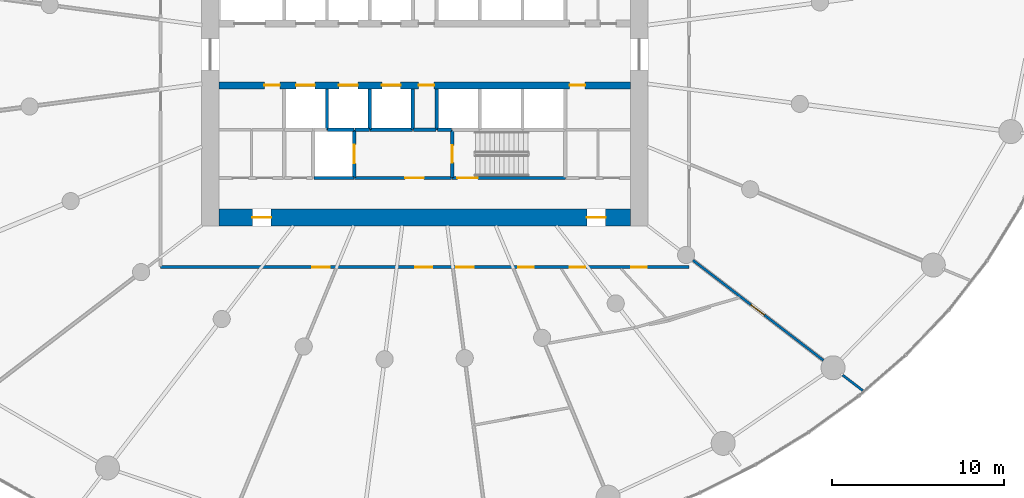
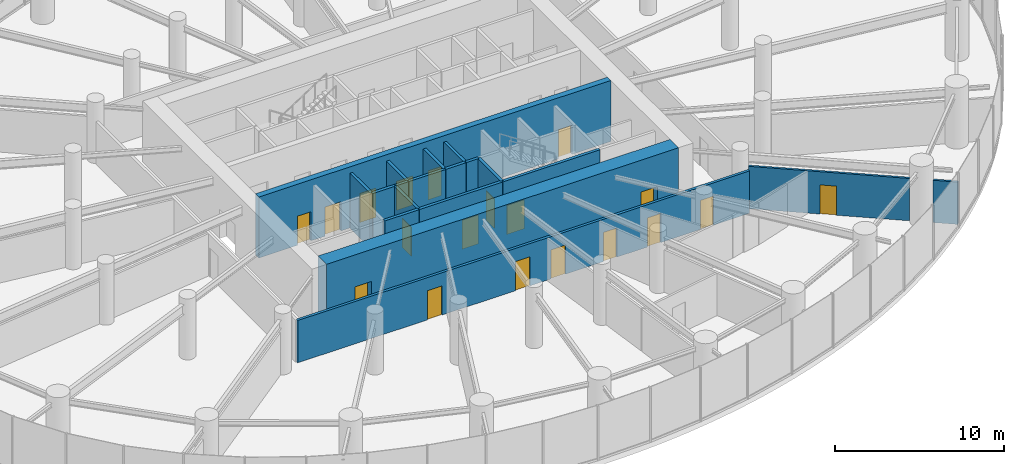
# One storey, part 12 of 18: 19 doors, 19 walls, 19 openings.
"""IFC4 building model written with IfcOpenShell, lengths in metres."""

from ifc_helpers import new_model, si_unit, direction, frame, frame_2d, origin, place, context, subcontext, project, spatial, rectangle, extrude, source, transform, mapped, material, layer, layer_set, type_object, element, fill, save


model = new_model("IFC4")

# Units and contexts
model_context = context("Model", 3, precision=1e-05, world=origin(), true_north=direction((0.0, 1.0)))
body_context = subcontext(model_context, "Body", "Model", "MODEL_VIEW")
ifc_project = project(units=[si_unit("LENGTHUNIT", "METRE"), si_unit("AREAUNIT", "SQUARE_METRE"), si_unit("VOLUMEUNIT", "CUBIC_METRE"), si_unit("PLANEANGLEUNIT", "RADIAN"), si_unit("MASSUNIT", "GRAM", prefix="KILO")], contexts=[model_context])

# Site, building, storey
site_placement = place(None, origin())
site = spatial("IfcSite", under=ifc_project, at=site_placement, CompositionType="ELEMENT")
building_placement = place(site_placement, origin())
building = spatial("IfcBuilding", under=site, at=building_placement, Name="Spindrift Exchange Tower", CompositionType="ELEMENT")
storey_placement = place(building_placement, frame((0.0, 0.0, 62.199951171875)))
storey = spatial("IfcBuildingStorey", under=building, at=storey_placement, Name="L14", CompositionType="ELEMENT", Elevation=62.199951171875)

# Wall, openings, doors
ifc_material_1 = material(Name="Concrete 80 MPa", Category="concrete")
ifc_layer_1 = layer(ifc_material_1, 1.0)
ifc_layer_set_1 = layer_set([ifc_layer_1], Name="RC Core Wall 1000 Concrete 80 MPa")
wall_type_1 = type_object("IfcWallType", Name="RC Core Wall 1000 Concrete 80 MPa", PredefinedType="SHEAR", material=ifc_layer_set_1)
wall_1_placement = place(storey_placement, frame((40.0, 38.5, 0.0), z_axis=(0.0, 0.0, 1.0), x_axis=(1.0, 0.0, 0.0)))
wall_1 = element("IfcWall", 1, at=wall_1_placement, inside=storey, type_object=wall_type_1, Name="Core wall S L14", PredefinedType="SHEAR", context=body_context, shape_type="SweptSolid", body=[
    extrude(rectangle(XDim=24.0, YDim=1.0, at=frame_2d((12.0, 0.0))), origin(), (0.0, 0.0, 1.0), 4.400146484375),
])
opening_1_placement = place(wall_1_placement, frame((21.449951171875, 0.0, 0.0)))
opening_1 = element("IfcOpeningElement", 2, at=opening_1_placement, cuts=wall_1, Name="Opening L14-D22", PredefinedType="OPENING", context=body_context, shape_type="SweptSolid", body=[
    extrude(rectangle(XDim=1.10009765625, YDim=2.10009765625, at=frame_2d((0.550048828125, 1.050048828125))), frame((0.0, 0.510009765625, 0.0), z_axis=(0.0, -1.0, 0.0), x_axis=(1.0, 0.0, 0.0)), (0.0, 0.0, 1.0), 1.02001953125),
])
opening_2_placement = place(wall_1_placement, frame((1.949951171875, 0.0, 0.0)))
opening_2 = element("IfcOpeningElement", 3, at=opening_2_placement, cuts=wall_1, Name="Opening L14-D23", PredefinedType="OPENING", context=body_context, shape_type="SweptSolid", body=[
    extrude(rectangle(XDim=1.10009765625, YDim=2.10009765625, at=frame_2d((0.550048828125, 1.050048828125))), frame((0.0, 0.510009765625, 0.0), z_axis=(0.0, -1.0, 0.0), x_axis=(1.0, 0.0, 0.0)), (0.0, 0.0, 1.0), 1.02001953125),
])
ifc_material_2 = material(Name="Steel fire door", Category="steel")
door_type_1 = type_object("IfcDoorType", Name="DR-STAIR-1100", OperationType="NOTDEFINED", PredefinedType="DOOR", material=ifc_material_2)
shared_shape_1 = source(origin(), body_context, "Body", "SweptSolid", [
    extrude(rectangle(XDim=1.10009765625, YDim=2.10009765625, at=frame_2d((0.550048828125, 1.050048828125))), frame((0.0, 0.02490234375, 0.0), z_axis=(0.0, -1.0, 0.0), x_axis=(1.0, 0.0, 0.0)), (0.0, 0.0, 1.0), 0.050048828125),
])
door_1_placement = place(opening_1_placement, origin())
door_1 = element("IfcDoor", 4, at=door_1_placement, inside=storey, type_object=door_type_1, Name="L14 Stair door 22", OperationType="SINGLE_SWING_LEFT", OverallHeight=2.10009765625, OverallWidth=1.10009765625, PredefinedType="DOOR", context=body_context, shape_type="MappedRepresentation", body=[
    mapped(shared_shape_1, transform((0.0, 0.0, 0.0), scale=1.0)),
])
fill(opening_1, door_1)
door_2_placement = place(opening_2_placement, origin())
door_2 = element("IfcDoor", 5, at=door_2_placement, inside=storey, type_object=door_type_1, Name="L14 Stair door 23", OperationType="SINGLE_SWING_RIGHT", OverallHeight=2.10009765625, OverallWidth=1.10009765625, PredefinedType="DOOR", context=body_context, shape_type="MappedRepresentation", body=[
    mapped(shared_shape_1, transform((0.0, 0.0, 0.0), scale=1.0)),
])
fill(opening_2, door_2)

ifc_layer_2 = layer(ifc_material_1, 0.39990234375)
ifc_layer_set_2 = layer_set([ifc_layer_2], Name="RC Spine Wall 400 Concrete 80 MPa")
wall_type_2 = type_object("IfcWallType", Name="RC Spine Wall 400 Concrete 80 MPa", PredefinedType="SHEAR", material=ifc_layer_set_2)
wall_2_placement = place(storey_placement, frame((40.0, 46.199951171875, 0.0), z_axis=(0.0, 0.0, 1.0), x_axis=(1.0, 0.0, 0.0)))
wall_2 = element("IfcWall", 6, at=wall_2_placement, inside=storey, type_object=wall_type_2, Name="Core spine wall S L14", PredefinedType="SHEAR", context=body_context, shape_type="SweptSolid", body=[
    extrude(rectangle(XDim=24.0, YDim=0.39990234375, at=frame_2d((12.0, 0.0))), origin(), (0.0, 0.0, 1.0), 4.400146484375),
])
opening_3_placement = place(wall_2_placement, frame((4.5, 0.0, 0.0)))
opening_3 = element("IfcOpeningElement", 7, at=opening_3_placement, cuts=wall_2, Name="Opening L14-D6", PredefinedType="OPENING", context=body_context, shape_type="SweptSolid", body=[
    extrude(rectangle(XDim=1.10009765625, YDim=2.10009765625, at=frame_2d((0.550048828125, 1.050048828125))), frame((0.0, 0.2099609375, 0.0), z_axis=(0.0, -1.0, 0.0), x_axis=(1.0, 0.0, 0.0)), (0.0, 0.0, 1.0), 0.419921875),
])
opening_4_placement = place(wall_2_placement, frame((7.0, 0.0, 0.0)))
opening_4 = element("IfcOpeningElement", 8, at=opening_4_placement, cuts=wall_2, Name="Opening L14-D7", PredefinedType="OPENING", context=body_context, shape_type="SweptSolid", body=[
    extrude(rectangle(XDim=1.10009765625, YDim=2.10009765625, at=frame_2d((0.550048828125, 1.050048828125))), frame((0.0, 0.2099609375, 0.0), z_axis=(0.0, -1.0, 0.0), x_axis=(1.0, 0.0, 0.0)), (0.0, 0.0, 1.0), 0.419921875),
])
opening_5_placement = place(wall_2_placement, frame((9.5, 0.0, 0.0)))
opening_5 = element("IfcOpeningElement", 9, at=opening_5_placement, cuts=wall_2, Name="Opening L14-D8", PredefinedType="OPENING", context=body_context, shape_type="SweptSolid", body=[
    extrude(rectangle(XDim=1.10009765625, YDim=2.10009765625, at=frame_2d((0.550048828125, 1.050048828125))), frame((0.0, 0.2099609375, 0.0), z_axis=(0.0, -1.0, 0.0), x_axis=(1.0, 0.0, 0.0)), (0.0, 0.0, 1.0), 0.419921875),
])
opening_6_placement = place(wall_2_placement, frame((20.449951171875, 0.0, 0.0)))
opening_6 = element("IfcOpeningElement", 10, at=opening_6_placement, cuts=wall_2, Name="Opening L14-D45", PredefinedType="OPENING", context=body_context, shape_type="SweptSolid", body=[
    extrude(rectangle(XDim=0.89990234375, YDim=2.10009765625, at=frame_2d((0.449951171875, 1.050048828125))), frame((0.0, 0.2099609375, 0.0), z_axis=(0.0, -1.0, 0.0), x_axis=(1.0, 0.0, 0.0)), (0.0, 0.0, 1.0), 0.419921875),
])
opening_7_placement = place(wall_2_placement, frame((2.64990234375, 0.0, 0.0)))
opening_7 = element("IfcOpeningElement", 11, at=opening_7_placement, cuts=wall_2, Name="Opening L14-D51", PredefinedType="OPENING", context=body_context, shape_type="SweptSolid", body=[
    extrude(rectangle(XDim=0.89990234375, YDim=2.10009765625, at=frame_2d((0.449951171875, 1.050048828125))), frame((0.0, 0.2099609375, 0.0), z_axis=(0.0, -1.0, 0.0), x_axis=(1.0, 0.0, 0.0)), (0.0, 0.0, 1.0), 0.419921875),
])
opening_8_placement = place(wall_2_placement, frame((11.64990234375, 0.0, 0.0)))
opening_8 = element("IfcOpeningElement", 12, at=opening_8_placement, cuts=wall_2, Name="Opening L14-D53", PredefinedType="OPENING", context=body_context, shape_type="SweptSolid", body=[
    extrude(rectangle(XDim=0.89990234375, YDim=2.10009765625, at=frame_2d((0.449951171875, 1.050048828125))), frame((0.0, 0.2099609375, 0.0), z_axis=(0.0, -1.0, 0.0), x_axis=(1.0, 0.0, 0.0)), (0.0, 0.0, 1.0), 0.419921875),
])
ifc_material_3 = material(Name="Stainless steel landing door", Category="steel")
door_type_2 = type_object("IfcDoorType", Name="DR-LANDING-1100-SL", OperationType="DOUBLE_DOOR_SLIDING", PredefinedType="USERDEFINED", material=ifc_material_3)
shared_shape_2 = source(origin(), body_context, "Body", "SweptSolid", [
    extrude(rectangle(XDim=1.10009765625, YDim=2.10009765625, at=frame_2d((0.550048828125, 1.050048828125))), frame((0.0, 0.02490234375, 0.0), z_axis=(0.0, -1.0, 0.0), x_axis=(1.0, 0.0, 0.0)), (0.0, 0.0, 1.0), 0.050048828125),
])
door_3_placement = place(opening_3_placement, origin())
door_3 = element("IfcDoor", 13, at=door_3_placement, inside=storey, type_object=door_type_2, Name="L14 Lift landing door 6", ObjectType="LANDING DOOR", OperationType="DOUBLE_DOOR_SLIDING", OverallHeight=2.10009765625, OverallWidth=1.10009765625, PredefinedType="USERDEFINED", context=body_context, shape_type="MappedRepresentation", body=[
    mapped(shared_shape_2, transform((0.0, 0.0, 0.0), scale=1.0)),
])
fill(opening_3, door_3)
door_4_placement = place(opening_4_placement, origin())
door_4 = element("IfcDoor", 14, at=door_4_placement, inside=storey, type_object=door_type_2, Name="L14 Lift landing door 7", ObjectType="LANDING DOOR", OperationType="DOUBLE_DOOR_SLIDING", OverallHeight=2.10009765625, OverallWidth=1.10009765625, PredefinedType="USERDEFINED", context=body_context, shape_type="MappedRepresentation", body=[
    mapped(shared_shape_2, transform((0.0, 0.0, 0.0), scale=1.0)),
])
fill(opening_4, door_4)
door_5_placement = place(opening_5_placement, origin())
door_5 = element("IfcDoor", 15, at=door_5_placement, inside=storey, type_object=door_type_2, Name="L14 Lift landing door 8", ObjectType="LANDING DOOR", OperationType="DOUBLE_DOOR_SLIDING", OverallHeight=2.10009765625, OverallWidth=1.10009765625, PredefinedType="USERDEFINED", context=body_context, shape_type="MappedRepresentation", body=[
    mapped(shared_shape_2, transform((0.0, 0.0, 0.0), scale=1.0)),
])
fill(opening_5, door_5)
ifc_material_4 = material(Name="Steel access door", Category="steel")
door_type_3 = type_object("IfcDoorType", Name="DR-RISER-900", OperationType="NOTDEFINED", PredefinedType="DOOR", material=ifc_material_4)
shared_shape_3 = source(origin(), body_context, "Body", "SweptSolid", [
    extrude(rectangle(XDim=0.89990234375, YDim=2.10009765625, at=frame_2d((0.449951171875, 1.050048828125))), frame((0.0, 0.02490234375, 0.0), z_axis=(0.0, -1.0, 0.0), x_axis=(1.0, 0.0, 0.0)), (0.0, 0.0, 1.0), 0.050048828125),
])
door_6_placement = place(opening_6_placement, origin())
door_6 = element("IfcDoor", 16, at=door_6_placement, inside=storey, type_object=door_type_3, Name="L14 Riser door 45", OperationType="SINGLE_SWING_RIGHT", OverallHeight=2.10009765625, OverallWidth=0.89990234375, PredefinedType="DOOR", context=body_context, shape_type="MappedRepresentation", body=[
    mapped(shared_shape_3, transform((0.0, 0.0, 0.0), scale=1.0)),
])
fill(opening_6, door_6)
door_7_placement = place(opening_7_placement, origin())
door_7 = element("IfcDoor", 17, at=door_7_placement, inside=storey, type_object=door_type_3, Name="L14 Riser door 51", OperationType="SINGLE_SWING_RIGHT", OverallHeight=2.10009765625, OverallWidth=0.89990234375, PredefinedType="DOOR", context=body_context, shape_type="MappedRepresentation", body=[
    mapped(shared_shape_3, transform((0.0, 0.0, 0.0), scale=1.0)),
])
fill(opening_7, door_7)
door_8_placement = place(opening_8_placement, origin())
door_8 = element("IfcDoor", 18, at=door_8_placement, inside=storey, type_object=door_type_3, Name="L14 Riser door 53", OperationType="SINGLE_SWING_RIGHT", OverallHeight=2.10009765625, OverallWidth=0.89990234375, PredefinedType="DOOR", context=body_context, shape_type="MappedRepresentation", body=[
    mapped(shared_shape_3, transform((0.0, 0.0, 0.0), scale=1.0)),
])
fill(opening_8, door_8)

# Wall, opening, door
ifc_material_5 = material(Name="Fire-rated plasterboard partition", Category="gypsum")
ifc_layer_3 = layer(ifc_material_5, 0.139892578125)
ifc_layer_set_3 = layer_set([ifc_layer_3], Name="W-PLANT-140")
wall_type_3 = type_object("IfcWallType", Name="W-PLANT-140", PredefinedType="PARTITIONING", material=ifc_layer_set_3)
wall_3_placement = place(storey_placement, frame((75.241943359375, 30.166015625, 0.0), z_axis=(0.0, 0.0, 1.0), x_axis=(-0.793366218398, 0.608744645566, 0.0)))
wall_3 = element("IfcWall", 19, at=wall_3_placement, inside=storey, type_object=wall_type_3, Name="L14 Partition wall 69", PredefinedType="PARTITIONING", context=body_context, shape_type="SweptSolid", body=[
    extrude(rectangle(XDim=9.59130859375, YDim=0.139892578125, at=frame_2d((4.795654296875, 0.0))), origin(), (0.0, 0.0, 1.0), 3.050048828125),
])
opening_9_placement = place(wall_3_placement, frame((4.34130859375, 0.0, 0.0)))
opening_9 = element("IfcOpeningElement", 20, at=opening_9_placement, cuts=wall_3, Name="Opening L14-D28", PredefinedType="OPENING", context=body_context, shape_type="SweptSolid", body=[
    extrude(rectangle(XDim=1.0, YDim=2.10009765625, at=frame_2d((0.5, 1.050048828125))), frame((0.0, 0.079833984375, 0.0), z_axis=(0.0, -1.0, 0.0), x_axis=(1.0, 0.0, 0.0)), (0.0, 0.0, 1.0), 0.159912109375),
])
ifc_material_6 = material(Name="Timber-core fire door", Category="wood")
door_type_4 = type_object("IfcDoorType", Name="DR-ROOM-1000", OperationType="NOTDEFINED", PredefinedType="DOOR", material=ifc_material_6)
shared_shape_4 = source(origin(), body_context, "Body", "SweptSolid", [
    extrude(rectangle(XDim=1.0, YDim=2.10009765625, at=frame_2d((0.5, 1.050048828125))), frame((0.0, 0.02490234375, 0.0), z_axis=(0.0, -1.0, 0.0), x_axis=(1.0, 0.0, 0.0)), (0.0, 0.0, 1.0), 0.050048828125),
])
door_9_placement = place(opening_9_placement, origin())
door_9 = element("IfcDoor", 21, at=door_9_placement, inside=storey, type_object=door_type_4, Name="L14 Door 28", OperationType="SINGLE_SWING_LEFT", OverallHeight=2.10009765625, OverallWidth=1.0, PredefinedType="DOOR", context=body_context, shape_type="MappedRepresentation", body=[
    mapped(shared_shape_4, transform((0.0, 0.0, 0.0), scale=1.0)),
])
fill(opening_9, door_9)

# Wall
wall_4_placement = place(storey_placement, frame((76.359375, 29.30859375, 0.0), z_axis=(0.0, 0.0, 1.0), x_axis=(0.793275855942, -0.608862395274, 0.0)))
element("IfcWall", 22, at=wall_4_placement, inside=storey, type_object=wall_type_3, Name="L14 Partition wall 109", PredefinedType="PARTITIONING", context=body_context, shape_type="SweptSolid", body=[
    extrude(rectangle(XDim=1.474853515625, YDim=0.139892578125, at=frame_2d((0.7373046875, 0.0))), origin(), (0.0, 0.0, 1.0), 3.050048828125),
])

# Wall, openings, doors
ifc_layer_4 = layer(ifc_material_5, 0.179931640625)
ifc_layer_set_4 = layer_set([ifc_layer_4], Name="W-PLANT-180")
wall_type_4 = type_object("IfcWallType", Name="W-PLANT-180", PredefinedType="PARTITIONING", material=ifc_layer_set_4)
wall_5_placement = place(storey_placement, frame((67.39990234375, 35.60009765625, 0.0), z_axis=(0.0, 0.0, 1.0), x_axis=(-1.0, 0.0, 0.0)))
wall_5 = element("IfcWall", 23, at=wall_5_placement, inside=storey, type_object=wall_type_4, Name="L14 Partition wall 57", PredefinedType="PARTITIONING", context=body_context, shape_type="SweptSolid", body=[
    extrude(rectangle(XDim=30.7998046875, YDim=0.179931640625, at=frame_2d((15.39990234375, 0.0))), origin(), (0.0, 0.0, 1.0), 3.050048828125),
])
opening_10_placement = place(wall_5_placement, frame((9.050048828125, 0.0, 0.0)))
opening_10 = element("IfcOpeningElement", 24, at=opening_10_placement, cuts=wall_5, Name="Opening L14-D24", PredefinedType="OPENING", context=body_context, shape_type="SweptSolid", body=[
    extrude(rectangle(XDim=0.89990234375, YDim=2.10009765625, at=frame_2d((0.449951171875, 1.050048828125))), frame((0.0, 0.099853515625, 0.0), z_axis=(0.0, -1.0, 0.0), x_axis=(1.0, 0.0, 0.0)), (0.0, 0.0, 1.0), 0.199951171875),
])
opening_11_placement = place(wall_5_placement, frame((6.050048828125, 0.0, 0.0)))
opening_11 = element("IfcOpeningElement", 25, at=opening_11_placement, cuts=wall_5, Name="Opening L14-D25", PredefinedType="OPENING", context=body_context, shape_type="SweptSolid", body=[
    extrude(rectangle(XDim=0.89990234375, YDim=2.10009765625, at=frame_2d((0.449951171875, 1.050048828125))), frame((0.0, 0.099853515625, 0.0), z_axis=(0.0, -1.0, 0.0), x_axis=(1.0, 0.0, 0.0)), (0.0, 0.0, 1.0), 0.199951171875),
])
opening_12_placement = place(wall_5_placement, frame((2.449951171875, 0.0, 0.0)))
opening_12 = element("IfcOpeningElement", 26, at=opening_12_placement, cuts=wall_5, Name="Opening L14-D26", PredefinedType="OPENING", context=body_context, shape_type="SweptSolid", body=[
    extrude(rectangle(XDim=0.89990234375, YDim=2.10009765625, at=frame_2d((0.449951171875, 1.050048828125))), frame((0.0, 0.099853515625, 0.0), z_axis=(0.0, -1.0, 0.0), x_axis=(1.0, 0.0, 0.0)), (0.0, 0.0, 1.0), 0.199951171875),
])
opening_13_placement = place(wall_5_placement, frame((20.949951171875, 0.0, 0.0)))
opening_13 = element("IfcOpeningElement", 27, at=opening_13_placement, cuts=wall_5, Name="Opening L14-D38", PredefinedType="OPENING", context=body_context, shape_type="SweptSolid", body=[
    extrude(rectangle(XDim=1.0, YDim=2.10009765625, at=frame_2d((0.5, 1.050048828125))), frame((0.0, 0.099853515625, 0.0), z_axis=(0.0, -1.0, 0.0), x_axis=(1.0, 0.0, 0.0)), (0.0, 0.0, 1.0), 0.199951171875),
])
opening_14_placement = place(wall_5_placement, frame((14.949951171875, 0.0, 0.0)))
opening_14 = element("IfcOpeningElement", 28, at=opening_14_placement, cuts=wall_5, Name="Opening L14-D39", PredefinedType="OPENING", context=body_context, shape_type="SweptSolid", body=[
    extrude(rectangle(XDim=1.0, YDim=2.10009765625, at=frame_2d((0.5, 1.050048828125))), frame((0.0, 0.099853515625, 0.0), z_axis=(0.0, -1.0, 0.0), x_axis=(1.0, 0.0, 0.0)), (0.0, 0.0, 1.0), 0.199951171875),
])
opening_15_placement = place(wall_5_placement, frame((12.550048828125, 0.0, 0.0)))
opening_15 = element("IfcOpeningElement", 29, at=opening_15_placement, cuts=wall_5, Name="Opening L14-D40", PredefinedType="OPENING", context=body_context, shape_type="SweptSolid", body=[
    extrude(rectangle(XDim=1.0, YDim=2.10009765625, at=frame_2d((0.5, 1.050048828125))), frame((0.0, 0.099853515625, 0.0), z_axis=(0.0, -1.0, 0.0), x_axis=(1.0, 0.0, 0.0)), (0.0, 0.0, 1.0), 0.199951171875),
])
door_10_placement = place(opening_13_placement, origin())
door_10 = element("IfcDoor", 30, at=door_10_placement, inside=storey, type_object=door_type_4, Name="L14 Door 38", OperationType="SINGLE_SWING_LEFT", OverallHeight=2.10009765625, OverallWidth=1.0, PredefinedType="DOOR", context=body_context, shape_type="MappedRepresentation", body=[
    mapped(shared_shape_4, transform((0.0, 0.0, 0.0), scale=1.0)),
])
fill(opening_13, door_10)
door_11_placement = place(opening_14_placement, origin())
door_11 = element("IfcDoor", 31, at=door_11_placement, inside=storey, type_object=door_type_4, Name="L14 Door 39", OperationType="SINGLE_SWING_RIGHT", OverallHeight=2.10009765625, OverallWidth=1.0, PredefinedType="DOOR", context=body_context, shape_type="MappedRepresentation", body=[
    mapped(shared_shape_4, transform((0.0, 0.0, 0.0), scale=1.0)),
])
fill(opening_14, door_11)
door_12_placement = place(opening_15_placement, origin())
door_12 = element("IfcDoor", 32, at=door_12_placement, inside=storey, type_object=door_type_4, Name="L14 Door 40", OperationType="SINGLE_SWING_LEFT", OverallHeight=2.10009765625, OverallWidth=1.0, PredefinedType="DOOR", context=body_context, shape_type="MappedRepresentation", body=[
    mapped(shared_shape_4, transform((0.0, 0.0, 0.0), scale=1.0)),
])
fill(opening_15, door_12)
ifc_material_7 = material(Name="Laminate washroom door", Category="wood")
door_type_5 = type_object("IfcDoorType", Name="DR-WC-900", OperationType="NOTDEFINED", PredefinedType="DOOR", material=ifc_material_7)
shared_shape_5 = source(origin(), body_context, "Body", "SweptSolid", [
    extrude(rectangle(XDim=0.89990234375, YDim=2.10009765625, at=frame_2d((0.449951171875, 1.050048828125))), frame((0.0, 0.02490234375, 0.0), z_axis=(0.0, -1.0, 0.0), x_axis=(1.0, 0.0, 0.0)), (0.0, 0.0, 1.0), 0.050048828125),
])
door_13_placement = place(opening_10_placement, origin())
door_13 = element("IfcDoor", 33, at=door_13_placement, inside=storey, type_object=door_type_5, Name="L14 WC door 24", OperationType="SINGLE_SWING_LEFT", OverallHeight=2.10009765625, OverallWidth=0.89990234375, PredefinedType="DOOR", context=body_context, shape_type="MappedRepresentation", body=[
    mapped(shared_shape_5, transform((0.0, 0.0, 0.0), scale=1.0)),
])
fill(opening_10, door_13)
door_14_placement = place(opening_11_placement, origin())
door_14 = element("IfcDoor", 34, at=door_14_placement, inside=storey, type_object=door_type_5, Name="L14 WC door 25", OperationType="SINGLE_SWING_RIGHT", OverallHeight=2.10009765625, OverallWidth=0.89990234375, PredefinedType="DOOR", context=body_context, shape_type="MappedRepresentation", body=[
    mapped(shared_shape_5, transform((0.0, 0.0, 0.0), scale=1.0)),
])
fill(opening_11, door_14)
door_15_placement = place(opening_12_placement, origin())
door_15 = element("IfcDoor", 35, at=door_15_placement, inside=storey, type_object=door_type_5, Name="L14 WC door 26", OperationType="SINGLE_SWING_LEFT", OverallHeight=2.10009765625, OverallWidth=0.89990234375, PredefinedType="DOOR", context=body_context, shape_type="MappedRepresentation", body=[
    mapped(shared_shape_5, transform((0.0, 0.0, 0.0), scale=1.0)),
])
fill(opening_12, door_15)

# Wall, opening, door
ifc_material_8 = material(Name="Concrete 40 MPa", Category="concrete")
ifc_layer_5 = layer(ifc_material_8, 0.199951171875)
ifc_layer_set_5 = layer_set([ifc_layer_5], Name="W-SHAFT-200")
wall_type_5 = type_object("IfcWallType", Name="W-SHAFT-200", PredefinedType="SOLIDWALL", material=ifc_layer_set_5)
wall_6_placement = place(storey_placement, frame((47.89990234375, 40.830078125, 0.0), z_axis=(0.0, 0.0, 1.0), x_axis=(0.0, 1.0, 0.0)))
wall_6 = element("IfcWall", 36, at=wall_6_placement, inside=storey, type_object=wall_type_5, Name="L14 Shaft wall 8", PredefinedType="SOLIDWALL", context=body_context, shape_type="SweptSolid", body=[
    extrude(rectangle(XDim=2.77001953125, YDim=0.199951171875, at=frame_2d((1.385009765625, 0.0))), origin(), (0.0, 0.0, 1.0), 3.949951171875),
])
opening_16_placement = place(wall_6_placement, frame((0.820068359375, 0.0, 0.0)))
opening_16 = element("IfcOpeningElement", 37, at=opening_16_placement, cuts=wall_6, Name="Opening L14-D10", PredefinedType="OPENING", context=body_context, shape_type="SweptSolid", body=[
    extrude(rectangle(XDim=1.10009765625, YDim=2.10009765625, at=frame_2d((0.550048828125, 1.050048828125))), frame((0.0, 0.10986328125, 0.0), z_axis=(0.0, -1.0, 0.0), x_axis=(1.0, 0.0, 0.0)), (0.0, 0.0, 1.0), 0.219970703125),
])
door_16_placement = place(opening_16_placement, origin())
door_16 = element("IfcDoor", 38, at=door_16_placement, inside=storey, type_object=door_type_2, Name="L14 Lift landing door 10", ObjectType="LANDING DOOR", OperationType="DOUBLE_DOOR_SLIDING", OverallHeight=2.10009765625, OverallWidth=1.10009765625, PredefinedType="USERDEFINED", context=body_context, shape_type="MappedRepresentation", body=[
    mapped(shared_shape_2, transform((0.0, 0.0, 0.0), scale=1.0)),
])
fill(opening_16, door_16)

# Walls
wall_7_placement = place(storey_placement, frame((48.800048828125, 43.60009765625, 0.0), z_axis=(0.0, 0.0, 1.0), x_axis=(1.0, 0.0, 0.0)))
element("IfcWall", 39, at=wall_7_placement, inside=storey, type_object=wall_type_5, Name="L14 Shaft wall 17", PredefinedType="SOLIDWALL", context=body_context, shape_type="SweptSolid", body=[
    extrude(rectangle(XDim=2.5, YDim=0.199951171875, at=frame_2d((1.25, 0.0))), origin(), (0.0, 0.0, 1.0), 3.949951171875),
])
wall_8_placement = place(storey_placement, frame((45.530029296875, 40.800048828125, 0.0), z_axis=(0.0, 0.0, 1.0), x_axis=(1.0, 0.0, 0.0)))
element("IfcWall", 40, at=wall_8_placement, inside=storey, type_object=wall_type_5, Name="L14 Shaft wall 21", PredefinedType="SOLIDWALL", context=body_context, shape_type="SweptSolid", body=[
    extrude(rectangle(XDim=2.340087890625, YDim=0.199951171875, at=frame_2d((1.169921875, 0.0))), origin(), (0.0, 0.0, 1.0), 3.949951171875),
])
wall_9_placement = place(storey_placement, frame((46.300048828125, 43.60009765625, 0.0), z_axis=(0.0, 0.0, 1.0), x_axis=(0.0, 1.0, 0.0)))
element("IfcWall", 41, at=wall_9_placement, inside=storey, type_object=wall_type_5, Name="L14 Shaft wall 25", PredefinedType="SOLIDWALL", context=body_context, shape_type="SweptSolid", body=[
    extrude(rectangle(XDim=2.389892578125, YDim=0.199951171875, at=frame_2d((1.19482421875, 0.0))), origin(), (0.0, 0.0, 1.0), 3.949951171875),
])
for number, where, z_axis, x_axis, name in (
    (42, (48.800048828125, 43.6298828125, 0.0), (0.0, 0.0, 1.0), (0.0, 1.0, 0.0), "L14 Shaft wall 27"),
    (43, (51.300048828125, 43.6298828125, 0.0), (0.0, 0.0, 1.0), (0.0, 1.0, 0.0), "L14 Shaft wall 29"),
):
    element("IfcWall", number, at=place(storey_placement, frame(where, z_axis=z_axis, x_axis=x_axis)), inside=storey, type_object=wall_type_5, Name=name, PredefinedType="SOLIDWALL", context=body_context, shape_type="SweptSolid", body=[
        extrude(rectangle(XDim=2.360107421875, YDim=0.199951171875, at=frame_2d((1.18017578125, 0.0))), origin(), (0.0, 0.0, 1.0), 3.949951171875),
    ])
wall_10_placement = place(storey_placement, frame((52.699951171875, 45.989990234375, 0.0), z_axis=(0.0, 0.0, 1.0), x_axis=(0.0, -1.0, 0.0)))
element("IfcWall", 44, at=wall_10_placement, inside=storey, type_object=wall_type_5, Name="L14 Shaft wall 31", PredefinedType="SOLIDWALL", context=body_context, shape_type="SweptSolid", body=[
    extrude(rectangle(XDim=2.389892578125, YDim=0.199951171875, at=frame_2d((1.19482421875, 0.0))), origin(), (0.0, 0.0, 1.0), 3.949951171875),
])
wall_11_placement = place(storey_placement, frame((46.330078125, 43.60009765625, 0.0), z_axis=(0.0, 0.0, 1.0), x_axis=(1.0, 0.0, 0.0)))
element("IfcWall", 45, at=wall_11_placement, inside=storey, type_object=wall_type_5, Name="L14 Shaft wall 44", PredefinedType="SOLIDWALL", context=body_context, shape_type="SweptSolid", body=[
    extrude(rectangle(XDim=1.5400390625, YDim=0.199951171875, at=frame_2d((0.77001953125, 0.0))), origin(), (0.0, 0.0, 1.0), 3.949951171875),
])
wall_12_placement = place(storey_placement, frame((52.669921875, 43.60009765625, 0.0), z_axis=(0.0, 0.0, 1.0), x_axis=(-1.0, 0.0, 0.0)))
element("IfcWall", 46, at=wall_12_placement, inside=storey, type_object=wall_type_5, Name="L14 Shaft wall 48", PredefinedType="SOLIDWALL", context=body_context, shape_type="SweptSolid", body=[
    extrude(rectangle(XDim=1.33984375, YDim=0.199951171875, at=frame_2d((0.669921875, 0.0))), origin(), (0.0, 0.0, 1.0), 3.949951171875),
])
wall_13_placement = place(storey_placement, frame((47.929931640625, 43.60009765625, 0.0), z_axis=(0.0, 0.0, 1.0), x_axis=(1.0, 0.0, 0.0)))
element("IfcWall", 47, at=wall_13_placement, inside=storey, type_object=wall_type_5, Name="L14 Shaft wall 50", PredefinedType="SOLIDWALL", context=body_context, shape_type="SweptSolid", body=[
    extrude(rectangle(XDim=0.840087890625, YDim=0.199951171875, at=frame_2d((0.419921875, 0.0))), origin(), (0.0, 0.0, 1.0), 3.949951171875),
])

# Wall, opening, door
ifc_layer_6 = layer(ifc_material_8, 0.199951171875)
ifc_layer_set_6 = layer_set([ifc_layer_6], Name="W-SHAFT-200-LB")
wall_type_6 = type_object("IfcWallType", Name="W-SHAFT-200-LB", PredefinedType="SOLIDWALL", material=ifc_layer_set_6)
wall_14_placement = place(storey_placement, frame((53.60009765625, 40.800048828125, 0.0), z_axis=(0.0, 0.0, 1.0), x_axis=(1.0, 0.0, 0.0)))
wall_14 = element("IfcWall", 48, at=wall_14_placement, inside=storey, type_object=wall_type_6, Name="L14 Shaft wall 2", PredefinedType="SOLIDWALL", context=body_context, shape_type="SweptSolid", body=[
    extrude(rectangle(XDim=6.599853515625, YDim=0.199951171875, at=frame_2d((3.2998046875, 0.0))), origin(), (0.0, 0.0, 1.0), 3.949951171875),
])
opening_17_placement = place(wall_14_placement, frame((0.300048828125, 0.0, 0.0)))
opening_17 = element("IfcOpeningElement", 49, at=opening_17_placement, cuts=wall_14, Name="Opening L14-D16", PredefinedType="OPENING", context=body_context, shape_type="SweptSolid", body=[
    extrude(rectangle(XDim=1.199951171875, YDim=2.10009765625, at=frame_2d((0.60009765625, 1.050048828125))), frame((0.0, 0.10986328125, 0.0), z_axis=(0.0, -1.0, 0.0), x_axis=(1.0, 0.0, 0.0)), (0.0, 0.0, 1.0), 0.219970703125),
])
door_type_6 = type_object("IfcDoorType", Name="DR-STAIR-1200", OperationType="NOTDEFINED", PredefinedType="DOOR", material=ifc_material_2)
shared_shape_6 = source(origin(), body_context, "Body", "SweptSolid", [
    extrude(rectangle(XDim=1.199951171875, YDim=2.10009765625, at=frame_2d((0.60009765625, 1.050048828125))), frame((0.0, 0.02490234375, 0.0), z_axis=(0.0, -1.0, 0.0), x_axis=(1.0, 0.0, 0.0)), (0.0, 0.0, 1.0), 0.050048828125),
])
door_17_placement = place(opening_17_placement, origin())
door_17 = element("IfcDoor", 50, at=door_17_placement, inside=storey, type_object=door_type_6, Name="L14 Stair door 16", OperationType="SINGLE_SWING_LEFT", OverallHeight=2.10009765625, OverallWidth=1.199951171875, PredefinedType="DOOR", context=body_context, shape_type="MappedRepresentation", body=[
    mapped(shared_shape_6, transform((0.0, 0.0, 0.0), scale=1.0)),
])
fill(opening_17, door_17)

wall_15_placement = place(storey_placement, frame((47.89990234375, 40.800048828125, 0.0), z_axis=(0.0, 0.0, 1.0), x_axis=(1.0, 0.0, 0.0)))
wall_15 = element("IfcWall", 51, at=wall_15_placement, inside=storey, type_object=wall_type_6, Name="L14 Shaft wall 3", PredefinedType="SOLIDWALL", context=body_context, shape_type="SweptSolid", body=[
    extrude(rectangle(XDim=5.670166015625, YDim=0.199951171875, at=frame_2d((2.8349609375, 0.0))), origin(), (0.0, 0.0, 1.0), 3.949951171875),
])
opening_18_placement = place(wall_15_placement, frame((2.949951171875, 0.0, 0.0)))
opening_18 = element("IfcOpeningElement", 52, at=opening_18_placement, cuts=wall_15, Name="Opening L14-D18", PredefinedType="OPENING", context=body_context, shape_type="SweptSolid", body=[
    extrude(rectangle(XDim=1.10009765625, YDim=2.10009765625, at=frame_2d((0.550048828125, 1.050048828125))), frame((0.0, 0.10986328125, 0.0), z_axis=(0.0, -1.0, 0.0), x_axis=(1.0, 0.0, 0.0)), (0.0, 0.0, 1.0), 0.219970703125),
])
door_type_7 = type_object("IfcDoorType", Name="DR-LOBBY-1100", OperationType="NOTDEFINED", PredefinedType="DOOR", material=ifc_material_6)
shared_shape_7 = source(origin(), body_context, "Body", "SweptSolid", [
    extrude(rectangle(XDim=1.10009765625, YDim=2.10009765625, at=frame_2d((0.550048828125, 1.050048828125))), frame((0.0, 0.02490234375, 0.0), z_axis=(0.0, -1.0, 0.0), x_axis=(1.0, 0.0, 0.0)), (0.0, 0.0, 1.0), 0.050048828125),
])
door_18_placement = place(opening_18_placement, origin())
door_18 = element("IfcDoor", 53, at=door_18_placement, inside=storey, type_object=door_type_7, Name="L14 Lobby door 18", OperationType="SINGLE_SWING_LEFT", OverallHeight=2.10009765625, OverallWidth=1.10009765625, PredefinedType="DOOR", context=body_context, shape_type="MappedRepresentation", body=[
    mapped(shared_shape_7, transform((0.0, 0.0, 0.0), scale=1.0)),
])
fill(opening_18, door_18)

wall_16_placement = place(storey_placement, frame((53.60009765625, 43.60009765625, 0.0), z_axis=(0.0, 0.0, 1.0), x_axis=(0.0, -1.0, 0.0)))
wall_16 = element("IfcWall", 54, at=wall_16_placement, inside=storey, type_object=wall_type_6, Name="L14 Shaft wall 11", PredefinedType="SOLIDWALL", context=body_context, shape_type="SweptSolid", body=[
    extrude(rectangle(XDim=2.77001953125, YDim=0.199951171875, at=frame_2d((1.385009765625, 0.0))), origin(), (0.0, 0.0, 1.0), 3.949951171875),
])
opening_19_placement = place(wall_16_placement, frame((0.89990234375, 0.0, 0.0)))
opening_19 = element("IfcOpeningElement", 55, at=opening_19_placement, cuts=wall_16, Name="Opening L14-D17", PredefinedType="OPENING", context=body_context, shape_type="SweptSolid", body=[
    extrude(rectangle(XDim=1.0, YDim=2.10009765625, at=frame_2d((0.5, 1.050048828125))), frame((0.0, 0.10986328125, 0.0), z_axis=(0.0, -1.0, 0.0), x_axis=(1.0, 0.0, 0.0)), (0.0, 0.0, 1.0), 0.219970703125),
])
door_type_8 = type_object("IfcDoorType", Name="DR-STAIR-1000", OperationType="NOTDEFINED", PredefinedType="DOOR", material=ifc_material_2)
shared_shape_8 = source(origin(), body_context, "Body", "SweptSolid", [
    extrude(rectangle(XDim=1.0, YDim=2.10009765625, at=frame_2d((0.5, 1.050048828125))), frame((0.0, 0.02490234375, 0.0), z_axis=(0.0, -1.0, 0.0), x_axis=(1.0, 0.0, 0.0)), (0.0, 0.0, 1.0), 0.050048828125),
])
door_19_placement = place(opening_19_placement, origin())
door_19 = element("IfcDoor", 56, at=door_19_placement, inside=storey, type_object=door_type_8, Name="L14 Stair door 17", OperationType="SINGLE_SWING_RIGHT", OverallHeight=2.10009765625, OverallWidth=1.0, PredefinedType="DOOR", context=body_context, shape_type="MappedRepresentation", body=[
    mapped(shared_shape_8, transform((0.0, 0.0, 0.0), scale=1.0)),
])
fill(opening_19, door_19)

# Wall
wall_17_placement = place(storey_placement, frame((52.72998046875, 43.60009765625, 0.0), z_axis=(0.0, 0.0, 1.0), x_axis=(1.0, 0.0, 0.0)))
element("IfcWall", 57, at=wall_17_placement, inside=storey, type_object=wall_type_6, Name="L14 Shaft wall 52", PredefinedType="SOLIDWALL", context=body_context, shape_type="SweptSolid", body=[
    extrude(rectangle(XDim=0.840087890625, YDim=0.199951171875, at=frame_2d((0.419921875, 0.0))), origin(), (0.0, 0.0, 1.0), 3.949951171875),
])

save(model, "model.ifc")
